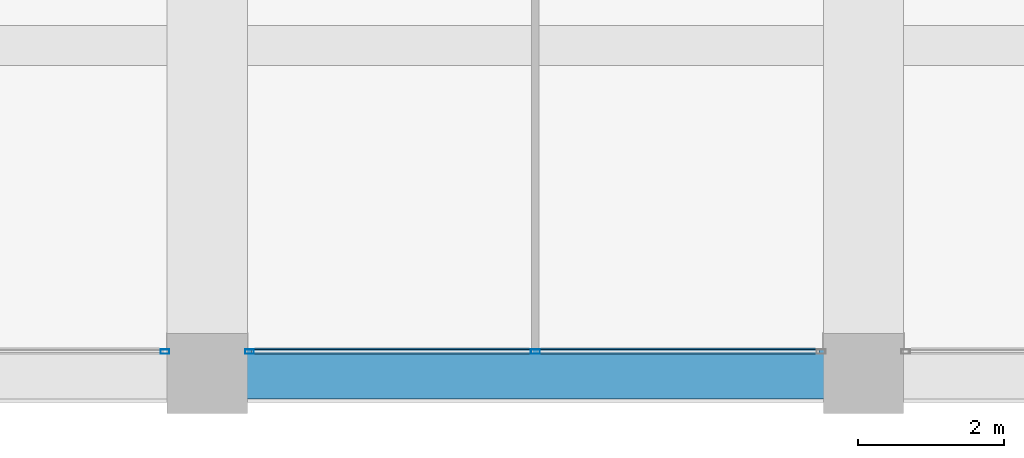
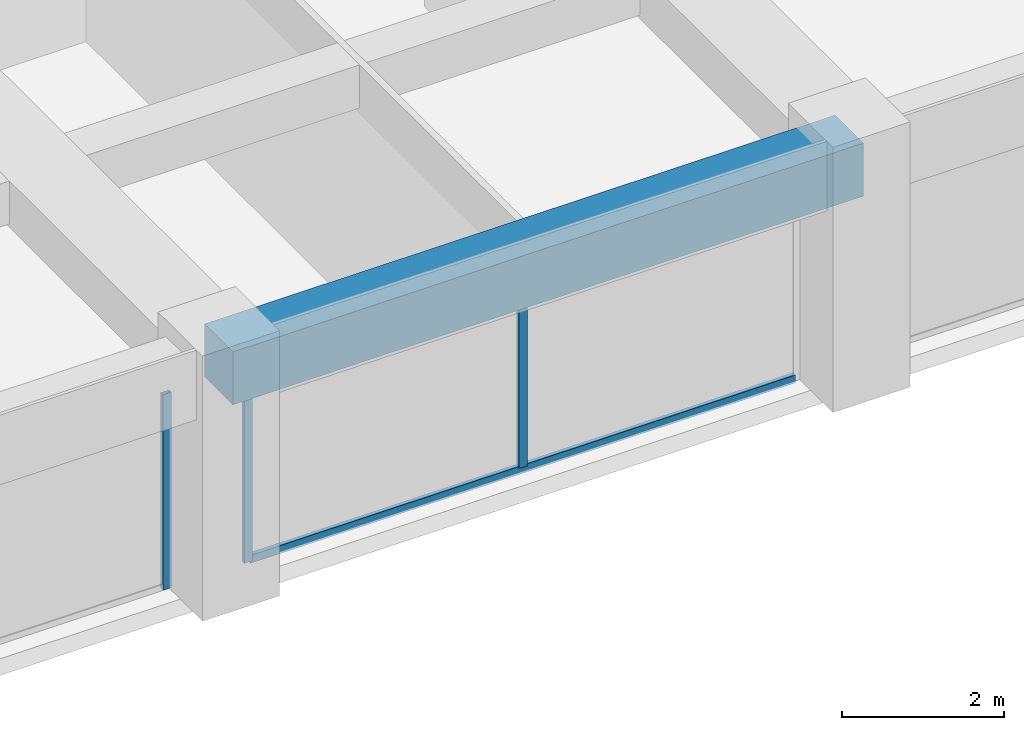
# One storey, part 9 of 44: 4 members, 1 beam, 2 elements without a shape of their own.
"""IFC4 building model written with IfcOpenShell, lengths in metres."""

from ifc_helpers import new_model, si_unit, direction, frame, origin, origin_2d, place, context, subcontext, project, spatial, rectangle, hollow_rectangle, extrude, material, material_profile, profile_set, type_object, element, aggregate, save


model = new_model("IFC4")

# Units and contexts
model_context = context("Model", 3, precision=1e-05, world=origin(), true_north=direction((0.0, 1.0)))
body_context = subcontext(model_context, "Body", "Model", "MODEL_VIEW")
ifc_project = project(units=[si_unit("LENGTHUNIT", "METRE"), si_unit("AREAUNIT", "SQUARE_METRE"), si_unit("VOLUMEUNIT", "CUBIC_METRE"), si_unit("PLANEANGLEUNIT", "RADIAN"), si_unit("MASSUNIT", "GRAM", prefix="KILO")], contexts=[model_context])

# Site, building, storey
site_placement = place(None, origin())
site = spatial("IfcSite", under=ifc_project, at=site_placement, CompositionType="ELEMENT")
building_placement = place(site_placement, origin())
building = spatial("IfcBuilding", under=site, at=building_placement, Name="Zorevar Civic Tower", CompositionType="ELEMENT")
storey_placement = place(building_placement, frame((0.0, 0.0, 251.39990234375)))
storey = spatial("IfcBuildingStorey", under=building, at=storey_placement, Name="L61", CompositionType="ELEMENT", Elevation=251.39990234375)

# Curtain wall, member
ifc_material_1 = material(Name="Dark grey solar-control glass in black aluminium frame", Category="aluminium")
curtain_wall_type = type_object("IfcCurtainWallType", Name="Curtain wall CW5 top zone", PredefinedType="NOTDEFINED", material=ifc_material_1)
curtain_wall_1_placement = place(storey_placement, origin())
curtain_wall_1 = element("IfcCurtainWall", 1, at=curtain_wall_1_placement, inside=storey, type_object=curtain_wall_type, Name="CW5 L61", PredefinedType="NOTDEFINED")
ifc_material_2 = material(Name="Aluminium, black anodised", Category="aluminium")
ifc_material_profile_1 = material_profile(ifc_material_2, hollow_rectangle(XDim=0.06005859375, YDim=0.1201171875, WallThickness=0.0029296875, at=origin_2d()), Name="AL 120x60x3")
ifc_profile_set_1 = profile_set([ifc_material_profile_1], Name="Aluminium, black anodised")
member_type_1 = type_object("IfcMemberType", Name="CW5 mullion AL 120x60x3", PredefinedType="MULLION", material=ifc_profile_set_1)
member_1_placement = place(storey_placement, frame((26.419921875, 0.300048828125, 0.0), z_axis=(0.0, 0.0, 1.0), x_axis=(0.0, 1.0, 0.0)))
member_1 = element("IfcMember", 2, at=member_1_placement, type_object=member_type_1, Name="CW5 mullion 3", PredefinedType="MULLION", context=body_context, shape_type="SweptSolid", body=[
    extrude(hollow_rectangle(XDim=0.06005859375, YDim=0.1201171875, WallThickness=0.0029296875, at=origin_2d()), origin(), (0.0, 0.0, 1.0), 2.9501953125),
])
aggregate(curtain_wall_1, [member_1])

# Curtain wall, members
curtain_wall_2_placement = place(storey_placement, origin())
curtain_wall_2 = element("IfcCurtainWall", 3, at=curtain_wall_2_placement, inside=storey, type_object=curtain_wall_type, Name="CW5 L61", PredefinedType="NOTDEFINED")
member_2_placement = place(storey_placement, frame((27.580078125, 0.300048828125, 0.0), z_axis=(0.0, 0.0, 1.0), x_axis=(0.0, 1.0, 0.0)))
member_2 = element("IfcMember", 4, at=member_2_placement, type_object=member_type_1, Name="CW5 mullion 1", PredefinedType="MULLION", context=body_context, shape_type="SweptSolid", body=[
    extrude(hollow_rectangle(XDim=0.06005859375, YDim=0.1201171875, WallThickness=0.0029296875, at=origin_2d()), origin(), (0.0, 0.0, 1.0), 2.9501953125),
])
member_3_placement = place(storey_placement, frame((31.5, 0.300048828125, 0.06005859375), z_axis=(0.0, 0.0, 1.0), x_axis=(0.0, 1.0, 0.0)))
member_3 = element("IfcMember", 5, at=member_3_placement, type_object=member_type_1, Name="CW5 mullion 2", PredefinedType="MULLION", context=body_context, shape_type="SweptSolid", body=[
    extrude(hollow_rectangle(XDim=0.06005859375, YDim=0.1201171875, WallThickness=0.0029296875, at=origin_2d()), origin(), (0.0, 0.0, 1.0), 2.89013671875),
])
ifc_material_3 = material(Name="Aluminium, black anodised", Category="aluminium")
ifc_material_profile_2 = material_profile(ifc_material_3, hollow_rectangle(XDim=0.06005859375, YDim=0.1201171875, WallThickness=0.0029296875, at=origin_2d()), Name="AL 120x60x3")
ifc_profile_set_2 = profile_set([ifc_material_profile_2], Name="Aluminium, black anodised")
member_type_2 = type_object("IfcMemberType", Name="CW5 transom AL 120x60x3", PredefinedType="USERDEFINED", material=ifc_profile_set_2)
member_4_placement = place(storey_placement, frame((27.610107421875, 0.300048828125, 0.030029296875), z_axis=(1.0, 0.0, 0.0), x_axis=(0.0, 1.0, 0.0)))
member_4 = element("IfcMember", 6, at=member_4_placement, type_object=member_type_2, Name="CW5 sill transom", ObjectType="TRANSOM", PredefinedType="USERDEFINED", context=body_context, shape_type="SweptSolid", body=[
    extrude(hollow_rectangle(XDim=0.06005859375, YDim=0.1201171875, WallThickness=0.0029296875, at=origin_2d()), origin(), (0.0, 0.0, 1.0), 7.77978515625),
])
aggregate(curtain_wall_2, [member_2, member_3, member_4])

# Beam
ifc_material_4 = material(Name="Concrete C50/60", Category="concrete")
ifc_material_profile_3 = material_profile(ifc_material_4, rectangle(XDim=0.699951171875, YDim=0.800048828125, at=origin_2d()), Name="RC 700x800")
ifc_profile_set_3 = profile_set([ifc_material_profile_3], Name="Concrete C50/60")
beam_type = type_object("IfcBeamType", Name="Edge beam RC 700x800", PredefinedType="SPANDREL", material=ifc_profile_set_3)
beam_placement = place(storey_placement, frame((27.0, 0.0, 3.35009765625), z_axis=(1.0, 0.0, 0.0), x_axis=(0.0, 1.0, 0.0)))
element("IfcBeam", 7, at=beam_placement, inside=storey, type_object=beam_type, Name="Edge beam L62", PredefinedType="SPANDREL", context=body_context, shape_type="SweptSolid", body=[
    extrude(rectangle(XDim=0.699951171875, YDim=0.800048828125, at=origin_2d()), origin(), (0.0, 0.0, 1.0), 9.0),
])

save(model, "model.ifc")
